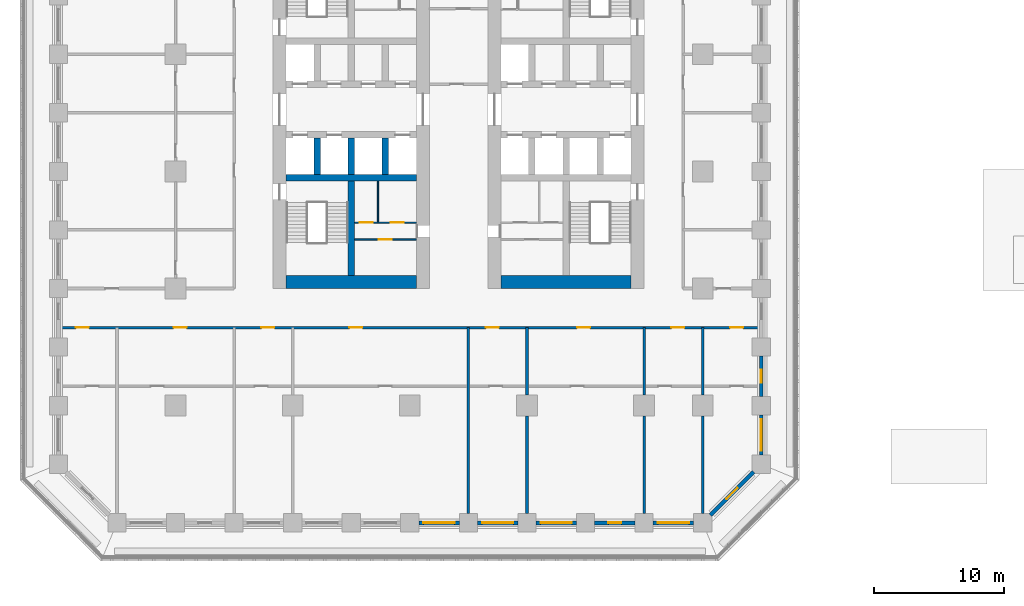
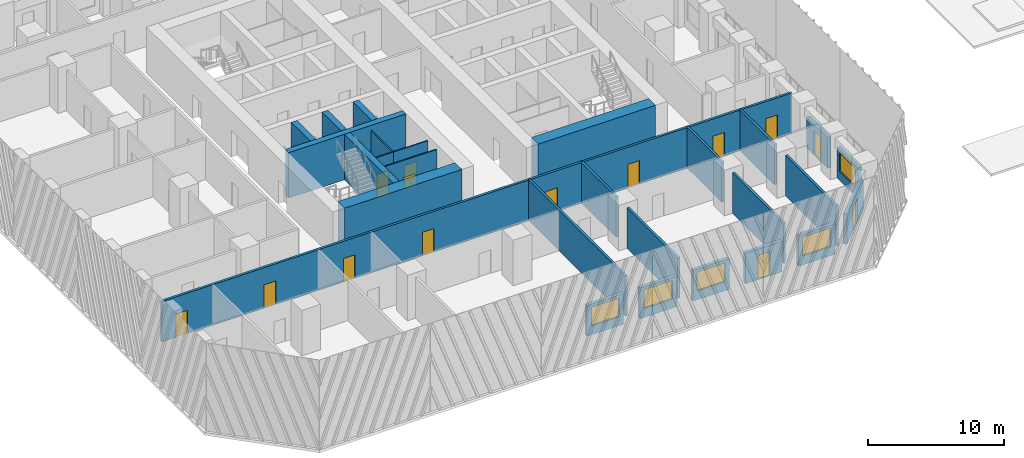
# One storey, part 4 of 15: 27 walls, 14 doors, 5 windows, 19 openings.
"""IFC4 building model written with IfcOpenShell, lengths in metres."""

from ifc_helpers import new_model, si_unit, direction, frame, frame_2d, origin, place, context, subcontext, project, spatial, rectangle, extrude, material, layer, layer_set, type_object, element, fill, save


model = new_model("IFC4")

# Units and contexts
model_context = context("Model", 3, precision=1e-05, world=origin(), true_north=direction((0.0, 1.0)))
body_context = subcontext(model_context, "Body", "Model", "MODEL_VIEW")
ifc_project = project(units=[si_unit("LENGTHUNIT", "METRE"), si_unit("AREAUNIT", "SQUARE_METRE"), si_unit("VOLUMEUNIT", "CUBIC_METRE"), si_unit("PLANEANGLEUNIT", "RADIAN"), si_unit("MASSUNIT", "GRAM", prefix="KILO")], contexts=[model_context])

# Site, building, storey
site_placement = place(None, origin())
site = spatial("IfcSite", under=ifc_project, at=site_placement, CompositionType="ELEMENT")
building_placement = place(site_placement, origin())
building = spatial("IfcBuilding", under=site, at=building_placement, Name="Corbel Stack Research Tower", CompositionType="ELEMENT")
storey_placement = place(building_placement, frame((0.0, 0.0, 23.60009765625)))
storey = spatial("IfcBuildingStorey", under=building, at=storey_placement, Name="L05", CompositionType="ELEMENT", Elevation=23.60009765625)

# Walls
ifc_material_1 = material(Name="Concrete C70/85", Category="concrete")
ifc_layer_1 = layer(ifc_material_1, 1.0)
ifc_layer_set_1 = layer_set([ifc_layer_1], Name="Concrete C70/85")
wall_type_1 = type_object("IfcWallType", Name="CW-1000-70", PredefinedType="SHEAR", material=ifc_layer_set_1)
for number, where, z_axis, x_axis, name in (
    (1, (-9.5, -8.5, 0.0), (0.0, 0.0, 1.0), (1.0, 0.0, 0.0), "West core wall, south end L05"),
    (2, (7.0, -8.5, 0.0), (0.0, 0.0, 1.0), (1.0, 0.0, 0.0), "East core wall, south end L05"),
):
    element("IfcWall", number, at=place(storey_placement, frame(where, z_axis=z_axis, x_axis=x_axis)), inside=storey, type_object=wall_type_1, Name=name, PredefinedType="SHEAR", context=body_context, shape_type="SweptSolid", body=[
        extrude(rectangle(XDim=10.0, YDim=1.0, at=frame_2d((5.0, 0.0))), origin(), (0.0, 0.0, 1.0), 4.099853515625),
    ])
ifc_material_2 = material(Name="Concrete C70/85", Category="concrete")
ifc_layer_2 = layer(ifc_material_2, 0.5)
ifc_layer_set_2 = layer_set([ifc_layer_2], Name="Concrete C70/85")
wall_type_2 = type_object("IfcWallType", Name="CW-500-70", PredefinedType="SHEAR", material=ifc_layer_set_2)
wall_1_placement = place(storey_placement, frame((-9.5, -0.5, 0.0), z_axis=(0.0, 0.0, 1.0), x_axis=(1.0, 0.0, 0.0)))
element("IfcWall", 3, at=wall_1_placement, inside=storey, type_object=wall_type_2, Name="West core wall, south row back L05", PredefinedType="SHEAR", context=body_context, shape_type="SweptSolid", body=[
    extrude(rectangle(XDim=10.0, YDim=0.5, at=frame_2d((5.0, 0.0))), origin(), (0.0, 0.0, 1.0), 4.099853515625),
])
for number, where, z_axis, x_axis, name in (
    (4, (-7.125, -0.25, 0.0), (0.0, 0.0, 1.0), (0.0, 1.0, 0.0), "West core wall, south shaft 1 L05"),
    (5, (-4.5, -0.25, 0.0), (0.0, 0.0, 1.0), (0.0, 1.0, 0.0), "West core wall, south shaft 2 L05"),
    (6, (-1.875, -0.25, 0.0), (0.0, 0.0, 1.0), (0.0, 1.0, 0.0), "West core wall, south shaft 3 L05"),
):
    element("IfcWall", number, at=place(storey_placement, frame(where, z_axis=z_axis, x_axis=x_axis)), inside=storey, type_object=wall_type_2, Name=name, PredefinedType="SHEAR", context=body_context, shape_type="SweptSolid", body=[
        extrude(rectangle(XDim=2.800048828125, YDim=0.5, at=frame_2d((1.39990234375, 0.0))), origin(), (0.0, 0.0, 1.0), 4.099853515625),
    ])
wall_2_placement = place(storey_placement, frame((-4.5, -8.0, 0.0), z_axis=(0.0, 0.0, 1.0), x_axis=(0.0, 1.0, 0.0)))
element("IfcWall", 7, at=wall_2_placement, inside=storey, type_object=wall_type_2, Name="West core wall, south stair and WC L05", PredefinedType="SHEAR", context=body_context, shape_type="SweptSolid", body=[
    extrude(rectangle(XDim=7.25, YDim=0.5, at=frame_2d((3.625, 0.0))), origin(), (0.0, 0.0, 1.0), 4.099853515625),
])

# Wall, opening, door
ifc_material_3 = material(Name="Gypsum board")
ifc_layer_3 = layer(ifc_material_3, 0.10009765625)
ifc_layer_set_3 = layer_set([ifc_layer_3], Name="Gypsum board")
wall_type_3 = type_object("IfcWallType", Name="Core partition 100", PredefinedType="PARTITIONING", material=ifc_layer_set_3)
wall_3_placement = place(storey_placement, frame((-4.25, -5.2451171875, 0.0), z_axis=(0.0, 0.0, 1.0), x_axis=(1.0, 0.0, 0.0)))
wall_3 = element("IfcWall", 8, at=wall_3_placement, inside=storey, type_object=wall_type_3, Name="Core partition W", PredefinedType="PARTITIONING", context=body_context, shape_type="SweptSolid", body=[
    extrude(rectangle(XDim=4.75, YDim=0.10009765625, at=frame_2d((2.375, 0.0))), origin(), (0.0, 0.0, 1.0), 3.64990234375),
])
opening_1_placement = place(wall_3_placement, frame((1.875, 0.0, 0.0)))
opening_1 = element("IfcOpeningElement", 9, at=opening_1_placement, cuts=wall_3, Name="Opening CR-W24-W2-1000", PredefinedType="OPENING", context=body_context, shape_type="SweptSolid", body=[
    extrude(rectangle(XDim=1.0, YDim=2.10009765625, at=frame_2d((0.5, 1.050048828125))), frame((0.0, 0.06005859375, 0.0), z_axis=(0.0, -1.0, 0.0), x_axis=(1.0, 0.0, 0.0)), (0.0, 0.0, 1.0), 0.1201171875),
])
ifc_material_4 = material(Name="Painted timber door", Category="wood")
door_type_1 = type_object("IfcDoorType", Name="WC door 1000 x 2100 right hand", OperationType="SINGLE_SWING_RIGHT", PredefinedType="DOOR", material=ifc_material_4)
door_1_placement = place(opening_1_placement, origin())
door_1 = element("IfcDoor", 10, at=door_1_placement, inside=storey, type_object=door_type_1, Name="Men's WC door W core", OperationType="SINGLE_SWING_RIGHT", OverallHeight=2.10009765625, OverallWidth=1.0, PredefinedType="DOOR", context=body_context, shape_type="SweptSolid", body=[
    extrude(rectangle(XDim=1.0, YDim=2.10009765625, at=frame_2d((0.5, 1.050048828125))), frame((0.0, 0.02490234375, 0.0), z_axis=(0.0, -1.0, 0.0), x_axis=(1.0, 0.0, 0.0)), (0.0, 0.0, 1.0), 0.050048828125),
])
fill(opening_1, door_1)

wall_4_placement = place(storey_placement, frame((-2.445068359375, -3.93994140625, 0.0), z_axis=(0.0, 0.0, 1.0), x_axis=(1.0, 0.0, 0.0)))
wall_4 = element("IfcWall", 11, at=wall_4_placement, inside=storey, type_object=wall_type_3, Name="Core partition W", PredefinedType="PARTITIONING", context=body_context, shape_type="SweptSolid", body=[
    extrude(rectangle(XDim=2.945068359375, YDim=0.10009765625, at=frame_2d((1.47265625, 0.0))), origin(), (0.0, 0.0, 1.0), 3.64990234375),
])
opening_2_placement = place(wall_4_placement, frame((0.972412109375, 0.0, 0.0)))
opening_2 = element("IfcOpeningElement", 12, at=opening_2_placement, cuts=wall_4, Name="Opening CR-W24-W3-1000", PredefinedType="OPENING", context=body_context, shape_type="SweptSolid", body=[
    extrude(rectangle(XDim=1.0, YDim=2.10009765625, at=frame_2d((0.5, 1.050048828125))), frame((0.0, 0.06005859375, 0.0), z_axis=(0.0, -1.0, 0.0), x_axis=(1.0, 0.0, 0.0)), (0.0, 0.0, 1.0), 0.1201171875),
])
ifc_material_5 = material(Name="Painted timber door", Category="wood")
door_type_2 = type_object("IfcDoorType", Name="WC door 1000 x 2100 left hand", OperationType="SINGLE_SWING_LEFT", PredefinedType="DOOR", material=ifc_material_5)
door_2_placement = place(opening_2_placement, origin())
door_2 = element("IfcDoor", 13, at=door_2_placement, inside=storey, type_object=door_type_2, Name="Women's WC door W core", OperationType="SINGLE_SWING_LEFT", OverallHeight=2.10009765625, OverallWidth=1.0, PredefinedType="DOOR", context=body_context, shape_type="SweptSolid", body=[
    extrude(rectangle(XDim=1.0, YDim=2.10009765625, at=frame_2d((0.5, 1.050048828125))), frame((0.0, 0.02490234375, 0.0), z_axis=(0.0, -1.0, 0.0), x_axis=(1.0, 0.0, 0.0)), (0.0, 0.0, 1.0), 0.050048828125),
])
fill(opening_2, door_2)

wall_5_placement = place(storey_placement, frame((-4.25, -3.93994140625, 0.0), z_axis=(0.0, 0.0, 1.0), x_axis=(1.0, 0.0, 0.0)))
wall_5 = element("IfcWall", 14, at=wall_5_placement, inside=storey, type_object=wall_type_3, Name="Core partition W", PredefinedType="PARTITIONING", context=body_context, shape_type="SweptSolid", body=[
    extrude(rectangle(XDim=1.804931640625, YDim=0.10009765625, at=frame_2d((0.90234375, 0.0))), origin(), (0.0, 0.0, 1.0), 3.64990234375),
])
opening_3_placement = place(wall_5_placement, frame((0.402587890625, 0.0, 0.0)))
opening_3 = element("IfcOpeningElement", 15, at=opening_3_placement, cuts=wall_5, Name="Opening CR-W24-W4-1000", PredefinedType="OPENING", context=body_context, shape_type="SweptSolid", body=[
    extrude(rectangle(XDim=1.0, YDim=2.10009765625, at=frame_2d((0.5, 1.050048828125))), frame((0.0, 0.06005859375, 0.0), z_axis=(0.0, -1.0, 0.0), x_axis=(1.0, 0.0, 0.0)), (0.0, 0.0, 1.0), 0.1201171875),
])
door_3_placement = place(opening_3_placement, origin())
door_3 = element("IfcDoor", 16, at=door_3_placement, inside=storey, type_object=door_type_1, Name="Accessible WC door W core", OperationType="SINGLE_SWING_RIGHT", OverallHeight=2.10009765625, OverallWidth=1.0, PredefinedType="DOOR", context=body_context, shape_type="SweptSolid", body=[
    extrude(rectangle(XDim=1.0, YDim=2.10009765625, at=frame_2d((0.5, 1.050048828125))), frame((0.0, 0.02490234375, 0.0), z_axis=(0.0, -1.0, 0.0), x_axis=(1.0, 0.0, 0.0)), (0.0, 0.0, 1.0), 0.050048828125),
])
fill(opening_3, door_3)

# Walls
wall_6_placement = place(storey_placement, frame((-2.445068359375, -3.93994140625, 0.0), z_axis=(0.0, 0.0, 1.0), x_axis=(0.0, 1.0, 0.0)))
element("IfcWall", 17, at=wall_6_placement, inside=storey, type_object=wall_type_3, Name="Core partition W", PredefinedType="PARTITIONING", context=body_context, shape_type="SweptSolid", body=[
    extrude(rectangle(XDim=3.18994140625, YDim=0.10009765625, at=frame_2d((1.594970703125, 0.0))), origin(), (0.0, 0.0, 1.0), 3.64990234375),
])
ifc_material_6 = material(Name="Fire-rated gypsum board partition on steel studs", Category="steel")
ifc_layer_4 = layer(ifc_material_6, 0.199951171875)
ifc_layer_set_4 = layer_set([ifc_layer_4], Name="Fire-rated gypsum board partition on steel studs")
wall_type_4 = type_object("IfcWallType", Name="Fire-rated partition 200 EI 60", PredefinedType="PARTITIONING", material=ifc_layer_set_4)
wall_7_placement = place(storey_placement, frame((4.5, -26.300048828125, 0.0), z_axis=(0.0, 0.0, 1.0), x_axis=(0.0, 1.0, 0.0)))
element("IfcWall", 18, at=wall_7_placement, inside=storey, type_object=wall_type_4, Name="Partition L05-012", PredefinedType="PARTITIONING", context=body_context, shape_type="SweptSolid", body=[
    extrude(rectangle(XDim=14.300048828125, YDim=0.199951171875, at=frame_2d((7.14990234375, 0.0))), origin(), (0.0, 0.0, 1.0), 3.64990234375),
])
wall_8_placement = place(storey_placement, frame((9.0, -26.300048828125, 0.0), z_axis=(0.0, 0.0, 1.0), x_axis=(0.0, 1.0, 0.0)))
element("IfcWall", 19, at=wall_8_placement, inside=storey, type_object=wall_type_4, Name="Partition L05-014", PredefinedType="PARTITIONING", context=body_context, shape_type="SweptSolid", body=[
    extrude(rectangle(XDim=7.5, YDim=0.199951171875, at=frame_2d((3.75, 0.0))), origin(), (0.0, 0.0, 1.0), 3.64990234375),
])
wall_9_placement = place(storey_placement, frame((9.0, -17.199951171875, 0.0), z_axis=(0.0, 0.0, 1.0), x_axis=(0.0, 1.0, 0.0)))
element("IfcWall", 20, at=wall_9_placement, inside=storey, type_object=wall_type_4, Name="Partition L05-015", PredefinedType="PARTITIONING", context=body_context, shape_type="SweptSolid", body=[
    extrude(rectangle(XDim=5.199951171875, YDim=0.199951171875, at=frame_2d((2.60009765625, 0.0))), origin(), (0.0, 0.0, 1.0), 3.64990234375),
])
wall_10_placement = place(storey_placement, frame((18.0, -26.300048828125, 0.0), z_axis=(0.0, 0.0, 1.0), x_axis=(0.0, 1.0, 0.0)))
element("IfcWall", 21, at=wall_10_placement, inside=storey, type_object=wall_type_4, Name="Partition L05-017", PredefinedType="PARTITIONING", context=body_context, shape_type="SweptSolid", body=[
    extrude(rectangle(XDim=7.5, YDim=0.199951171875, at=frame_2d((3.75, 0.0))), origin(), (0.0, 0.0, 1.0), 3.64990234375),
])
wall_11_placement = place(storey_placement, frame((18.0, -17.199951171875, 0.0), z_axis=(0.0, 0.0, 1.0), x_axis=(0.0, 1.0, 0.0)))
element("IfcWall", 22, at=wall_11_placement, inside=storey, type_object=wall_type_4, Name="Partition L05-018", PredefinedType="PARTITIONING", context=body_context, shape_type="SweptSolid", body=[
    extrude(rectangle(XDim=5.199951171875, YDim=0.199951171875, at=frame_2d((2.60009765625, 0.0))), origin(), (0.0, 0.0, 1.0), 3.64990234375),
])
wall_12_placement = place(storey_placement, frame((22.5, -26.300048828125, 0.0), z_axis=(0.0, 0.0, 1.0), x_axis=(0.0, 1.0, 0.0)))
element("IfcWall", 23, at=wall_12_placement, inside=storey, type_object=wall_type_4, Name="Partition L05-021", PredefinedType="PARTITIONING", context=body_context, shape_type="SweptSolid", body=[
    extrude(rectangle(XDim=7.5, YDim=0.199951171875, at=frame_2d((3.75, 0.0))), origin(), (0.0, 0.0, 1.0), 3.64990234375),
])
wall_13_placement = place(storey_placement, frame((22.5, -17.199951171875, 0.0), z_axis=(0.0, 0.0, 1.0), x_axis=(0.0, 1.0, 0.0)))
element("IfcWall", 24, at=wall_13_placement, inside=storey, type_object=wall_type_4, Name="Partition L05-022", PredefinedType="PARTITIONING", context=body_context, shape_type="SweptSolid", body=[
    extrude(rectangle(XDim=5.199951171875, YDim=0.199951171875, at=frame_2d((2.60009765625, 0.0))), origin(), (0.0, 0.0, 1.0), 3.64990234375),
])

# Wall, openings, doors
wall_14_placement = place(storey_placement, frame((26.85009765625, -12.0, 0.0), z_axis=(0.0, 0.0, 1.0), x_axis=(-1.0, 0.0, 0.0)))
wall_14 = element("IfcWall", 25, at=wall_14_placement, inside=storey, type_object=wall_type_4, Name="Partition L05-025", PredefinedType="PARTITIONING", context=body_context, shape_type="SweptSolid", body=[
    extrude(rectangle(XDim=53.7001953125, YDim=0.199951171875, at=frame_2d((26.85009765625, 0.0))), origin(), (0.0, 0.0, 1.0), 3.64990234375),
])
opening_4_placement = place(wall_14_placement, frame((51.5, 0.0, 0.0)))
opening_4 = element("IfcOpeningElement", 26, at=opening_4_placement, cuts=wall_14, Name="Opening B1V1-016", PredefinedType="OPENING", context=body_context, shape_type="SweptSolid", body=[
    extrude(rectangle(XDim=1.0, YDim=2.10009765625, at=frame_2d((0.5, 1.050048828125))), frame((0.0, 0.10986328125, 0.0), z_axis=(0.0, -1.0, 0.0), x_axis=(1.0, 0.0, 0.0)), (0.0, 0.0, 1.0), 0.219970703125),
])
opening_5_placement = place(wall_14_placement, frame((44.0, 0.0, 0.0)))
opening_5 = element("IfcOpeningElement", 27, at=opening_5_placement, cuts=wall_14, Name="Opening B1V1-017", PredefinedType="OPENING", context=body_context, shape_type="SweptSolid", body=[
    extrude(rectangle(XDim=1.0, YDim=2.10009765625, at=frame_2d((0.5, 1.050048828125))), frame((0.0, 0.10986328125, 0.0), z_axis=(0.0, -1.0, 0.0), x_axis=(1.0, 0.0, 0.0)), (0.0, 0.0, 1.0), 0.219970703125),
])
opening_6_placement = place(wall_14_placement, frame((37.25, 0.0, 0.0)))
opening_6 = element("IfcOpeningElement", 28, at=opening_6_placement, cuts=wall_14, Name="Opening B1V1-018", PredefinedType="OPENING", context=body_context, shape_type="SweptSolid", body=[
    extrude(rectangle(XDim=1.0, YDim=2.10009765625, at=frame_2d((0.5, 1.050048828125))), frame((0.0, 0.10986328125, 0.0), z_axis=(0.0, -1.0, 0.0), x_axis=(1.0, 0.0, 0.0)), (0.0, 0.0, 1.0), 0.219970703125),
])
opening_7_placement = place(wall_14_placement, frame((30.5, 0.0, 0.0)))
opening_7 = element("IfcOpeningElement", 29, at=opening_7_placement, cuts=wall_14, Name="Opening B1V1-019", PredefinedType="OPENING", context=body_context, shape_type="SweptSolid", body=[
    extrude(rectangle(XDim=1.0, YDim=2.10009765625, at=frame_2d((0.5, 1.050048828125))), frame((0.0, 0.10986328125, 0.0), z_axis=(0.0, -1.0, 0.0), x_axis=(1.0, 0.0, 0.0)), (0.0, 0.0, 1.0), 0.219970703125),
])
opening_8_placement = place(wall_14_placement, frame((20.0, 0.0, 0.0)))
opening_8 = element("IfcOpeningElement", 30, at=opening_8_placement, cuts=wall_14, Name="Opening B1V1-020", PredefinedType="OPENING", context=body_context, shape_type="SweptSolid", body=[
    extrude(rectangle(XDim=1.0, YDim=2.10009765625, at=frame_2d((0.5, 1.050048828125))), frame((0.0, 0.10986328125, 0.0), z_axis=(0.0, -1.0, 0.0), x_axis=(1.0, 0.0, 0.0)), (0.0, 0.0, 1.0), 0.219970703125),
])
opening_9_placement = place(wall_14_placement, frame((13.0, 0.0, 0.0)))
opening_9 = element("IfcOpeningElement", 31, at=opening_9_placement, cuts=wall_14, Name="Opening B1V1-021", PredefinedType="OPENING", context=body_context, shape_type="SweptSolid", body=[
    extrude(rectangle(XDim=1.0, YDim=2.10009765625, at=frame_2d((0.5, 1.050048828125))), frame((0.0, 0.10986328125, 0.0), z_axis=(0.0, -1.0, 0.0), x_axis=(1.0, 0.0, 0.0)), (0.0, 0.0, 1.0), 0.219970703125),
])
opening_10_placement = place(wall_14_placement, frame((5.75, 0.0, 0.0)))
opening_10 = element("IfcOpeningElement", 32, at=opening_10_placement, cuts=wall_14, Name="Opening B1V1-022", PredefinedType="OPENING", context=body_context, shape_type="SweptSolid", body=[
    extrude(rectangle(XDim=1.0, YDim=2.10009765625, at=frame_2d((0.5, 1.050048828125))), frame((0.0, 0.10986328125, 0.0), z_axis=(0.0, -1.0, 0.0), x_axis=(1.0, 0.0, 0.0)), (0.0, 0.0, 1.0), 0.219970703125),
])
opening_11_placement = place(wall_14_placement, frame((1.25, 0.0, 0.0)))
opening_11 = element("IfcOpeningElement", 33, at=opening_11_placement, cuts=wall_14, Name="Opening B1V1-023", PredefinedType="OPENING", context=body_context, shape_type="SweptSolid", body=[
    extrude(rectangle(XDim=1.0, YDim=2.10009765625, at=frame_2d((0.5, 1.050048828125))), frame((0.0, 0.10986328125, 0.0), z_axis=(0.0, -1.0, 0.0), x_axis=(1.0, 0.0, 0.0)), (0.0, 0.0, 1.0), 0.219970703125),
])
ifc_material_7 = material(Name="Painted steel fire door", Category="steel")
door_type_3 = type_object("IfcDoorType", Name="Fire door FD30S 1000 x 2100", OperationType="NOTDEFINED", PredefinedType="DOOR", material=ifc_material_7)
door_4_placement = place(opening_4_placement, origin())
door_4 = element("IfcDoor", 34, at=door_4_placement, inside=storey, type_object=door_type_3, Name="Door B1V1-016", OperationType="SINGLE_SWING_RIGHT", OverallHeight=2.10009765625, OverallWidth=1.0, PredefinedType="DOOR", context=body_context, shape_type="SweptSolid", body=[
    extrude(rectangle(XDim=1.0, YDim=2.10009765625, at=frame_2d((0.5, 1.050048828125))), frame((0.0, 0.02490234375, 0.0), z_axis=(0.0, -1.0, 0.0), x_axis=(1.0, 0.0, 0.0)), (0.0, 0.0, 1.0), 0.050048828125),
])
fill(opening_4, door_4)
door_5_placement = place(opening_5_placement, origin())
door_5 = element("IfcDoor", 35, at=door_5_placement, inside=storey, type_object=door_type_3, Name="Door B1V1-017", OperationType="SINGLE_SWING_RIGHT", OverallHeight=2.10009765625, OverallWidth=1.0, PredefinedType="DOOR", context=body_context, shape_type="SweptSolid", body=[
    extrude(rectangle(XDim=1.0, YDim=2.10009765625, at=frame_2d((0.5, 1.050048828125))), frame((0.0, 0.02490234375, 0.0), z_axis=(0.0, -1.0, 0.0), x_axis=(1.0, 0.0, 0.0)), (0.0, 0.0, 1.0), 0.050048828125),
])
fill(opening_5, door_5)
door_6_placement = place(opening_6_placement, origin())
door_6 = element("IfcDoor", 36, at=door_6_placement, inside=storey, type_object=door_type_3, Name="Door B1V1-018", OperationType="SINGLE_SWING_RIGHT", OverallHeight=2.10009765625, OverallWidth=1.0, PredefinedType="DOOR", context=body_context, shape_type="SweptSolid", body=[
    extrude(rectangle(XDim=1.0, YDim=2.10009765625, at=frame_2d((0.5, 1.050048828125))), frame((0.0, 0.02490234375, 0.0), z_axis=(0.0, -1.0, 0.0), x_axis=(1.0, 0.0, 0.0)), (0.0, 0.0, 1.0), 0.050048828125),
])
fill(opening_6, door_6)
door_7_placement = place(opening_7_placement, origin())
door_7 = element("IfcDoor", 37, at=door_7_placement, inside=storey, type_object=door_type_3, Name="Door B1V1-019", OperationType="SINGLE_SWING_RIGHT", OverallHeight=2.10009765625, OverallWidth=1.0, PredefinedType="DOOR", context=body_context, shape_type="SweptSolid", body=[
    extrude(rectangle(XDim=1.0, YDim=2.10009765625, at=frame_2d((0.5, 1.050048828125))), frame((0.0, 0.02490234375, 0.0), z_axis=(0.0, -1.0, 0.0), x_axis=(1.0, 0.0, 0.0)), (0.0, 0.0, 1.0), 0.050048828125),
])
fill(opening_7, door_7)
door_8_placement = place(opening_8_placement, origin())
door_8 = element("IfcDoor", 38, at=door_8_placement, inside=storey, type_object=door_type_3, Name="Door B1V1-020", OperationType="SINGLE_SWING_LEFT", OverallHeight=2.10009765625, OverallWidth=1.0, PredefinedType="DOOR", context=body_context, shape_type="SweptSolid", body=[
    extrude(rectangle(XDim=1.0, YDim=2.10009765625, at=frame_2d((0.5, 1.050048828125))), frame((0.0, 0.02490234375, 0.0), z_axis=(0.0, -1.0, 0.0), x_axis=(1.0, 0.0, 0.0)), (0.0, 0.0, 1.0), 0.050048828125),
])
fill(opening_8, door_8)
door_9_placement = place(opening_9_placement, origin())
door_9 = element("IfcDoor", 39, at=door_9_placement, inside=storey, type_object=door_type_3, Name="Door B1V1-021", OperationType="SINGLE_SWING_LEFT", OverallHeight=2.10009765625, OverallWidth=1.0, PredefinedType="DOOR", context=body_context, shape_type="SweptSolid", body=[
    extrude(rectangle(XDim=1.0, YDim=2.10009765625, at=frame_2d((0.5, 1.050048828125))), frame((0.0, 0.02490234375, 0.0), z_axis=(0.0, -1.0, 0.0), x_axis=(1.0, 0.0, 0.0)), (0.0, 0.0, 1.0), 0.050048828125),
])
fill(opening_9, door_9)
door_10_placement = place(opening_10_placement, origin())
door_10 = element("IfcDoor", 40, at=door_10_placement, inside=storey, type_object=door_type_3, Name="Door B1V1-022", OperationType="SINGLE_SWING_LEFT", OverallHeight=2.10009765625, OverallWidth=1.0, PredefinedType="DOOR", context=body_context, shape_type="SweptSolid", body=[
    extrude(rectangle(XDim=1.0, YDim=2.10009765625, at=frame_2d((0.5, 1.050048828125))), frame((0.0, 0.02490234375, 0.0), z_axis=(0.0, -1.0, 0.0), x_axis=(1.0, 0.0, 0.0)), (0.0, 0.0, 1.0), 0.050048828125),
])
fill(opening_10, door_10)
door_11_placement = place(opening_11_placement, origin())
door_11 = element("IfcDoor", 41, at=door_11_placement, inside=storey, type_object=door_type_3, Name="Door B1V1-023", OperationType="SINGLE_SWING_LEFT", OverallHeight=2.10009765625, OverallWidth=1.0, PredefinedType="DOOR", context=body_context, shape_type="SweptSolid", body=[
    extrude(rectangle(XDim=1.0, YDim=2.10009765625, at=frame_2d((0.5, 1.050048828125))), frame((0.0, 0.02490234375, 0.0), z_axis=(0.0, -1.0, 0.0), x_axis=(1.0, 0.0, 0.0)), (0.0, 0.0, 1.0), 0.050048828125),
])
fill(opening_11, door_11)

# Wall, opening, window
ifc_material_8 = material(Name="Concrete C45/55", Category="concrete")
ifc_layer_5 = layer(ifc_material_8, 0.300048828125)
ifc_layer_set_5 = layer_set([ifc_layer_5], Name="Concrete C45/55")
wall_type_5 = type_object("IfcWallType", Name="Terracotta-faced concrete wall 300", PredefinedType="SOLIDWALL", material=ifc_layer_set_5)
wall_15_placement = place(storey_placement, frame((3.800048828125, -27.0, 0.0), z_axis=(0.0, 0.0, 1.0), x_axis=(-1.0, 0.0, 0.0)))
wall_15 = element("IfcWall", 42, at=wall_15_placement, inside=storey, type_object=wall_type_5, Name="Facade wall L05 S06", PredefinedType="SOLIDWALL", context=body_context, shape_type="SweptSolid", body=[
    extrude(rectangle(XDim=3.10009765625, YDim=0.300048828125, at=frame_2d((1.550048828125, 0.0))), origin(), (0.0, 0.0, 1.0), 2.75),
])
opening_12_placement = place(wall_15_placement, frame((0.35009765625, 0.0, 0.800048828125)))
opening_12 = element("IfcOpeningElement", 43, at=opening_12_placement, cuts=wall_15, Name="Opening W1", PredefinedType="OPENING", context=body_context, shape_type="SweptSolid", body=[
    extrude(rectangle(XDim=2.39990234375, YDim=1.699951171875, at=frame_2d((1.199951171875, 0.85009765625))), frame((0.0, 0.159912109375, 0.0), z_axis=(0.0, -1.0, 0.0), x_axis=(1.0, 0.0, 0.0)), (0.0, 0.0, 1.0), 0.320068359375),
])
ifc_material_9 = material(Name="Aluminium frame, clear double glazing", Category="aluminium")
window_type = type_object("IfcWindowType", Name="Window W1 2400 x 1700", PartitioningType="SINGLE_PANEL", PredefinedType="WINDOW", material=ifc_material_9)
window_1_placement = place(opening_12_placement, origin())
window_1 = element("IfcWindow", 44, at=window_1_placement, inside=storey, type_object=window_type, Name="Window W1 L05 S06", OverallHeight=1.699951171875, OverallWidth=2.39990234375, PartitioningType="SINGLE_PANEL", PredefinedType="WINDOW", context=body_context, shape_type="SweptSolid", body=[
    extrude(rectangle(XDim=2.39990234375, YDim=1.699951171875, at=frame_2d((1.199951171875, 0.85009765625))), frame((0.0, 0.030029296875, 0.0), z_axis=(0.0, -1.0, 0.0), x_axis=(1.0, 0.0, 0.0)), (0.0, 0.0, 1.0), 0.06005859375),
])
fill(opening_12, window_1)

wall_16_placement = place(storey_placement, frame((8.300048828125, -27.0, 0.0), z_axis=(0.0, 0.0, 1.0), x_axis=(-1.0, 0.0, 0.0)))
wall_16 = element("IfcWall", 45, at=wall_16_placement, inside=storey, type_object=wall_type_5, Name="Facade wall L05 S07", PredefinedType="SOLIDWALL", context=body_context, shape_type="SweptSolid", body=[
    extrude(rectangle(XDim=3.10009765625, YDim=0.300048828125, at=frame_2d((1.550048828125, 0.0))), origin(), (0.0, 0.0, 1.0), 2.75),
])
opening_13_placement = place(wall_16_placement, frame((0.35009765625, 0.0, 0.800048828125)))
opening_13 = element("IfcOpeningElement", 46, at=opening_13_placement, cuts=wall_16, Name="Opening W1", PredefinedType="OPENING", context=body_context, shape_type="SweptSolid", body=[
    extrude(rectangle(XDim=2.39990234375, YDim=1.699951171875, at=frame_2d((1.199951171875, 0.85009765625))), frame((0.0, 0.159912109375, 0.0), z_axis=(0.0, -1.0, 0.0), x_axis=(1.0, 0.0, 0.0)), (0.0, 0.0, 1.0), 0.320068359375),
])
window_2_placement = place(opening_13_placement, origin())
window_2 = element("IfcWindow", 47, at=window_2_placement, inside=storey, type_object=window_type, Name="Window W1 L05 S07", OverallHeight=1.699951171875, OverallWidth=2.39990234375, PartitioningType="SINGLE_PANEL", PredefinedType="WINDOW", context=body_context, shape_type="SweptSolid", body=[
    extrude(rectangle(XDim=2.39990234375, YDim=1.699951171875, at=frame_2d((1.199951171875, 0.85009765625))), frame((0.0, 0.030029296875, 0.0), z_axis=(0.0, -1.0, 0.0), x_axis=(1.0, 0.0, 0.0)), (0.0, 0.0, 1.0), 0.06005859375),
])
fill(opening_13, window_2)

wall_17_placement = place(storey_placement, frame((12.800048828125, -27.0, 0.0), z_axis=(0.0, 0.0, 1.0), x_axis=(-1.0, 0.0, 0.0)))
wall_17 = element("IfcWall", 48, at=wall_17_placement, inside=storey, type_object=wall_type_5, Name="Facade wall L05 S08", PredefinedType="SOLIDWALL", context=body_context, shape_type="SweptSolid", body=[
    extrude(rectangle(XDim=3.10009765625, YDim=0.300048828125, at=frame_2d((1.550048828125, 0.0))), origin(), (0.0, 0.0, 1.0), 2.75),
])
opening_14_placement = place(wall_17_placement, frame((0.35009765625, 0.0, 0.800048828125)))
opening_14 = element("IfcOpeningElement", 49, at=opening_14_placement, cuts=wall_17, Name="Opening W1", PredefinedType="OPENING", context=body_context, shape_type="SweptSolid", body=[
    extrude(rectangle(XDim=2.39990234375, YDim=1.699951171875, at=frame_2d((1.199951171875, 0.85009765625))), frame((0.0, 0.159912109375, 0.0), z_axis=(0.0, -1.0, 0.0), x_axis=(1.0, 0.0, 0.0)), (0.0, 0.0, 1.0), 0.320068359375),
])
window_3_placement = place(opening_14_placement, origin())
window_3 = element("IfcWindow", 50, at=window_3_placement, inside=storey, type_object=window_type, Name="Window W1 L05 S08", OverallHeight=1.699951171875, OverallWidth=2.39990234375, PartitioningType="SINGLE_PANEL", PredefinedType="WINDOW", context=body_context, shape_type="SweptSolid", body=[
    extrude(rectangle(XDim=2.39990234375, YDim=1.699951171875, at=frame_2d((1.199951171875, 0.85009765625))), frame((0.0, 0.030029296875, 0.0), z_axis=(0.0, -1.0, 0.0), x_axis=(1.0, 0.0, 0.0)), (0.0, 0.0, 1.0), 0.06005859375),
])
fill(opening_14, window_3)

# Wall, opening, door
wall_18_placement = place(storey_placement, frame((17.300048828125, -27.0, 0.0), z_axis=(0.0, 0.0, 1.0), x_axis=(-1.0, 0.0, 0.0)))
wall_18 = element("IfcWall", 51, at=wall_18_placement, inside=storey, type_object=wall_type_5, Name="Facade wall L05 S09", PredefinedType="SOLIDWALL", context=body_context, shape_type="SweptSolid", body=[
    extrude(rectangle(XDim=3.10009765625, YDim=0.300048828125, at=frame_2d((1.550048828125, 0.0))), origin(), (0.0, 0.0, 1.0), 2.75),
])
opening_15_placement = place(wall_18_placement, frame((1.050048828125, 0.0, 0.0)))
opening_15 = element("IfcOpeningElement", 52, at=opening_15_placement, cuts=wall_18, Name="Opening L05-B02", PredefinedType="OPENING", context=body_context, shape_type="SweptSolid", body=[
    extrude(rectangle(XDim=1.0, YDim=2.199951171875, at=frame_2d((0.5, 1.10009765625))), frame((0.0, 0.159912109375, 0.0), z_axis=(0.0, -1.0, 0.0), x_axis=(1.0, 0.0, 0.0)), (0.0, 0.0, 1.0), 0.320068359375),
])
ifc_material_10 = material(Name="Aluminium frame, clear double glazing", Category="aluminium")
door_type_4 = type_object("IfcDoorType", Name="Balcony door BD1 1000 x 2200", OperationType="NOTDEFINED", PredefinedType="DOOR", material=ifc_material_10)
door_12_placement = place(opening_15_placement, origin())
door_12 = element("IfcDoor", 53, at=door_12_placement, inside=storey, type_object=door_type_4, Name="Balcony door L05-B02", OperationType="SINGLE_SWING_RIGHT", OverallHeight=2.199951171875, OverallWidth=1.0, PredefinedType="DOOR", context=body_context, shape_type="SweptSolid", body=[
    extrude(rectangle(XDim=1.0, YDim=2.199951171875, at=frame_2d((0.5, 1.10009765625))), frame((0.0, 0.02490234375, 0.0), z_axis=(0.0, -1.0, 0.0), x_axis=(1.0, 0.0, 0.0)), (0.0, 0.0, 1.0), 0.050048828125),
])
fill(opening_15, door_12)

# Wall, opening, window
wall_19_placement = place(storey_placement, frame((21.800048828125, -27.0, 0.0), z_axis=(0.0, 0.0, 1.0), x_axis=(-1.0, 0.0, 0.0)))
wall_19 = element("IfcWall", 54, at=wall_19_placement, inside=storey, type_object=wall_type_5, Name="Facade wall L05 S10", PredefinedType="SOLIDWALL", context=body_context, shape_type="SweptSolid", body=[
    extrude(rectangle(XDim=3.10009765625, YDim=0.300048828125, at=frame_2d((1.550048828125, 0.0))), origin(), (0.0, 0.0, 1.0), 2.75),
])
opening_16_placement = place(wall_19_placement, frame((0.35009765625, 0.0, 0.800048828125)))
opening_16 = element("IfcOpeningElement", 55, at=opening_16_placement, cuts=wall_19, Name="Opening W1", PredefinedType="OPENING", context=body_context, shape_type="SweptSolid", body=[
    extrude(rectangle(XDim=2.39990234375, YDim=1.699951171875, at=frame_2d((1.199951171875, 0.85009765625))), frame((0.0, 0.159912109375, 0.0), z_axis=(0.0, -1.0, 0.0), x_axis=(1.0, 0.0, 0.0)), (0.0, 0.0, 1.0), 0.320068359375),
])
window_4_placement = place(opening_16_placement, origin())
window_4 = element("IfcWindow", 56, at=window_4_placement, inside=storey, type_object=window_type, Name="Window W1 L05 S10", OverallHeight=1.699951171875, OverallWidth=2.39990234375, PartitioningType="SINGLE_PANEL", PredefinedType="WINDOW", context=body_context, shape_type="SweptSolid", body=[
    extrude(rectangle(XDim=2.39990234375, YDim=1.699951171875, at=frame_2d((1.199951171875, 0.85009765625))), frame((0.0, 0.030029296875, 0.0), z_axis=(0.0, -1.0, 0.0), x_axis=(1.0, 0.0, 0.0)), (0.0, 0.0, 1.0), 0.06005859375),
])
fill(opening_16, window_4)

# Wall, opening, door
wall_20_placement = place(storey_placement, frame((26.406005859375, -23.093994140625, 0.0), z_axis=(0.0, 0.0, 1.0), x_axis=(-0.707106781187, -0.707106781187, 0.0)))
wall_20 = element("IfcWall", 57, at=wall_20_placement, inside=storey, type_object=wall_type_5, Name="Facade wall L05 SE01", PredefinedType="SOLIDWALL", context=body_context, shape_type="SweptSolid", body=[
    extrude(rectangle(XDim=4.683837890625, YDim=0.300048828125, at=frame_2d((2.341796875, 0.0))), origin(), (0.0, 0.0, 1.0), 2.75),
])
opening_17_placement = place(wall_20_placement, frame((1.741943359375, 0.0, 0.0)))
opening_17 = element("IfcOpeningElement", 58, at=opening_17_placement, cuts=wall_20, Name="Opening L05-B03", PredefinedType="OPENING", context=body_context, shape_type="SweptSolid", body=[
    extrude(rectangle(XDim=1.199951171875, YDim=2.199951171875, at=frame_2d((0.60009765625, 1.10009765625))), frame((0.0, 0.159912109375, 0.0), z_axis=(0.0, -1.0, 0.0), x_axis=(1.0, 0.0, 0.0)), (0.0, 0.0, 1.0), 0.320068359375),
])
ifc_material_11 = material(Name="Aluminium frame, clear double glazing", Category="aluminium")
door_type_5 = type_object("IfcDoorType", Name="Balcony door BD2 1200 x 2200", OperationType="NOTDEFINED", PredefinedType="DOOR", material=ifc_material_11)
door_13_placement = place(opening_17_placement, origin())
door_13 = element("IfcDoor", 59, at=door_13_placement, inside=storey, type_object=door_type_5, Name="Balcony door L05-B03", OperationType="SINGLE_SWING_RIGHT", OverallHeight=2.199951171875, OverallWidth=1.199951171875, PredefinedType="DOOR", context=body_context, shape_type="SweptSolid", body=[
    extrude(rectangle(XDim=1.199951171875, YDim=2.199951171875, at=frame_2d((0.60009765625, 1.10009765625))), frame((0.0, 0.02490234375, 0.0), z_axis=(0.0, -1.0, 0.0), x_axis=(1.0, 0.0, 0.0)), (0.0, 0.0, 1.0), 0.050048828125),
])
fill(opening_17, door_13)

# Wall, opening, window
wall_21_placement = place(storey_placement, frame((27.0, -18.699951171875, 0.0), z_axis=(0.0, 0.0, 1.0), x_axis=(0.0, -1.0, 0.0)))
wall_21 = element("IfcWall", 60, at=wall_21_placement, inside=storey, type_object=wall_type_5, Name="Facade wall L05 E01", PredefinedType="SOLIDWALL", context=body_context, shape_type="SweptSolid", body=[
    extrude(rectangle(XDim=3.10009765625, YDim=0.300048828125, at=frame_2d((1.550048828125, 0.0))), origin(), (0.0, 0.0, 1.0), 2.75),
])
opening_18_placement = place(wall_21_placement, frame((0.35009765625, 0.0, 0.800048828125)))
opening_18 = element("IfcOpeningElement", 61, at=opening_18_placement, cuts=wall_21, Name="Opening W1", PredefinedType="OPENING", context=body_context, shape_type="SweptSolid", body=[
    extrude(rectangle(XDim=2.39990234375, YDim=1.699951171875, at=frame_2d((1.199951171875, 0.85009765625))), frame((0.0, 0.159912109375, 0.0), z_axis=(0.0, -1.0, 0.0), x_axis=(1.0, 0.0, 0.0)), (0.0, 0.0, 1.0), 0.320068359375),
])
window_5_placement = place(opening_18_placement, origin())
window_5 = element("IfcWindow", 62, at=window_5_placement, inside=storey, type_object=window_type, Name="Window W1 L05 E01", OverallHeight=1.699951171875, OverallWidth=2.39990234375, PartitioningType="SINGLE_PANEL", PredefinedType="WINDOW", context=body_context, shape_type="SweptSolid", body=[
    extrude(rectangle(XDim=2.39990234375, YDim=1.699951171875, at=frame_2d((1.199951171875, 0.85009765625))), frame((0.0, 0.030029296875, 0.0), z_axis=(0.0, -1.0, 0.0), x_axis=(1.0, 0.0, 0.0)), (0.0, 0.0, 1.0), 0.06005859375),
])
fill(opening_18, window_5)

# Wall, opening, door
wall_22_placement = place(storey_placement, frame((27.0, -14.199951171875, 0.0), z_axis=(0.0, 0.0, 1.0), x_axis=(0.0, -1.0, 0.0)))
wall_22 = element("IfcWall", 63, at=wall_22_placement, inside=storey, type_object=wall_type_5, Name="Facade wall L05 E02", PredefinedType="SOLIDWALL", context=body_context, shape_type="SweptSolid", body=[
    extrude(rectangle(XDim=3.10009765625, YDim=0.300048828125, at=frame_2d((1.550048828125, 0.0))), origin(), (0.0, 0.0, 1.0), 2.75),
])
opening_19_placement = place(wall_22_placement, frame((1.050048828125, 0.0, 0.0)))
opening_19 = element("IfcOpeningElement", 64, at=opening_19_placement, cuts=wall_22, Name="Opening L05-B04", PredefinedType="OPENING", context=body_context, shape_type="SweptSolid", body=[
    extrude(rectangle(XDim=1.0, YDim=2.199951171875, at=frame_2d((0.5, 1.10009765625))), frame((0.0, 0.159912109375, 0.0), z_axis=(0.0, -1.0, 0.0), x_axis=(1.0, 0.0, 0.0)), (0.0, 0.0, 1.0), 0.320068359375),
])
door_14_placement = place(opening_19_placement, origin())
door_14 = element("IfcDoor", 65, at=door_14_placement, inside=storey, type_object=door_type_4, Name="Balcony door L05-B04", OperationType="SINGLE_SWING_LEFT", OverallHeight=2.199951171875, OverallWidth=1.0, PredefinedType="DOOR", context=body_context, shape_type="SweptSolid", body=[
    extrude(rectangle(XDim=1.0, YDim=2.199951171875, at=frame_2d((0.5, 1.10009765625))), frame((0.0, 0.02490234375, 0.0), z_axis=(0.0, -1.0, 0.0), x_axis=(1.0, 0.0, 0.0)), (0.0, 0.0, 1.0), 0.050048828125),
])
fill(opening_19, door_14)

save(model, "model.ifc")
